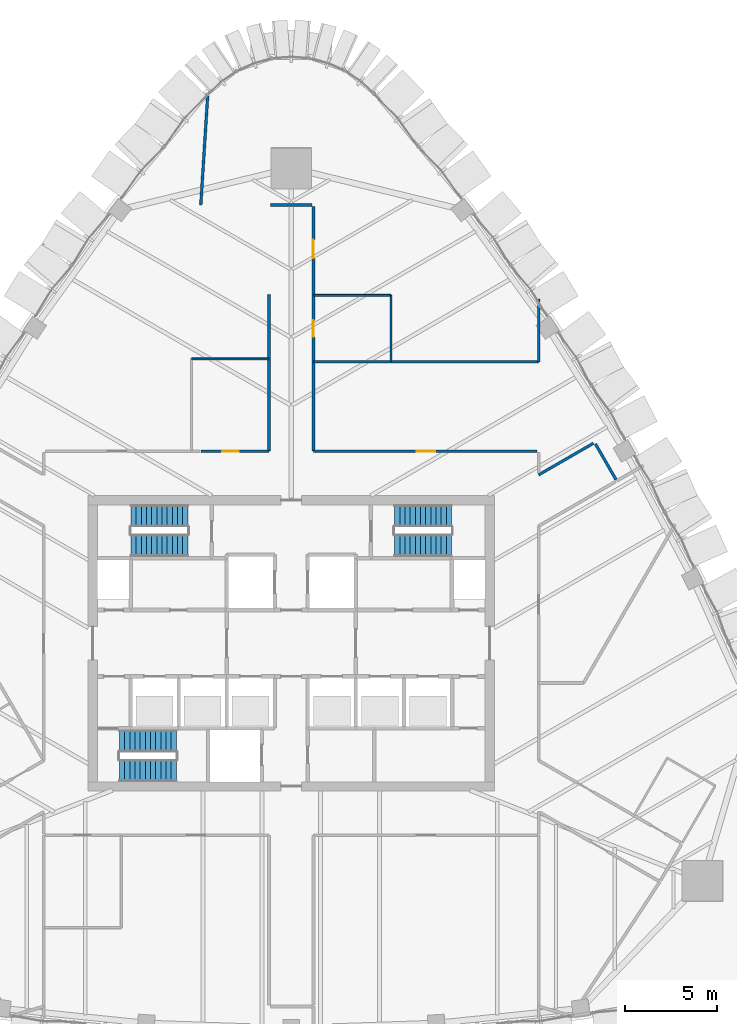
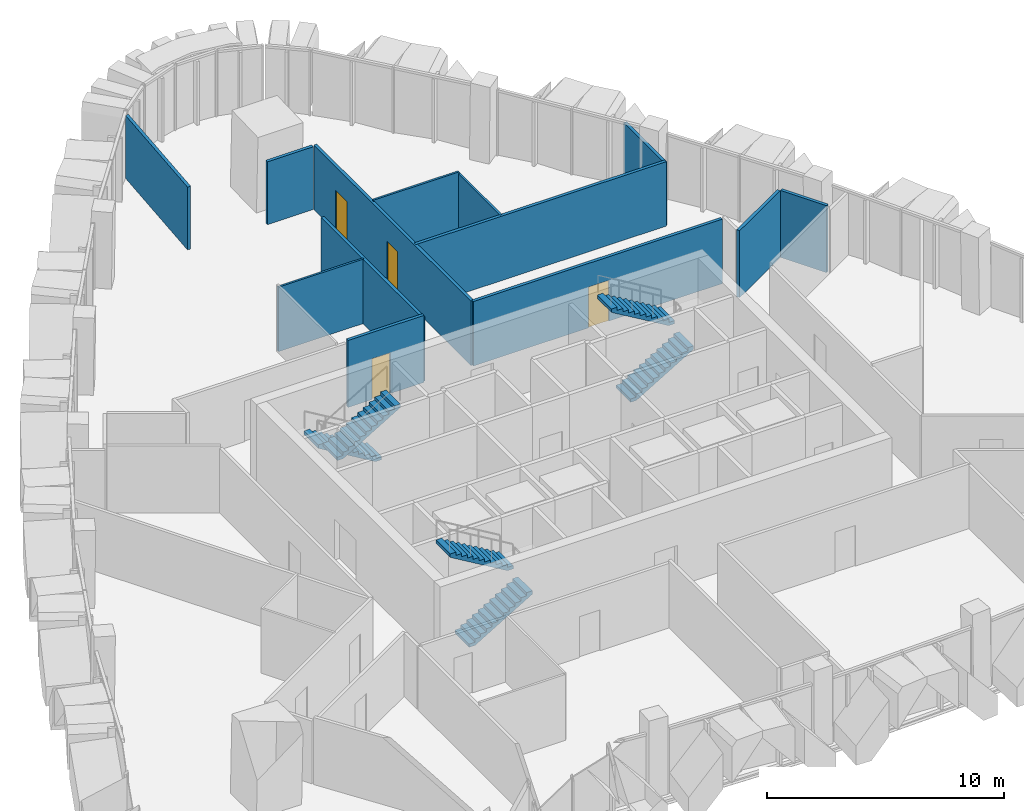
# One storey, part 15 of 19: 13 walls, 6 stair flights, 4 doors, 4 openings, 3 elements without a shape of their own.
"""IFC4 building model written with IfcOpenShell, lengths in metres."""

from ifc_helpers import new_model, si_unit, direction, frame, frame_2d, origin, place, context, subcontext, project, spatial, polyline, rectangle, outline, extrude, material, layer, layer_set, type_object, element, fill, aggregate, save


model = new_model("IFC4")

# Units and contexts
model_context = context("Model", 3, precision=1e-05, world=origin(), true_north=direction((0.0, 1.0)))
body_context = subcontext(model_context, "Body", "Model", "MODEL_VIEW")
ifc_project = project(units=[si_unit("LENGTHUNIT", "METRE"), si_unit("AREAUNIT", "SQUARE_METRE"), si_unit("VOLUMEUNIT", "CUBIC_METRE"), si_unit("PLANEANGLEUNIT", "RADIAN"), si_unit("MASSUNIT", "GRAM", prefix="KILO")], contexts=[model_context])

# Site, building, storey
site_placement = place(None, origin())
site = spatial("IfcSite", under=ifc_project, at=site_placement, CompositionType="ELEMENT")
building_placement = place(site_placement, origin())
building = spatial("IfcBuilding", under=site, at=building_placement, Name="Sierra Prisma Convention Tower", CompositionType="ELEMENT")
storey_placement = place(building_placement, frame((0.0, 0.0, 231.0)))
storey = spatial("IfcBuildingStorey", under=building, at=storey_placement, Name="L51", CompositionType="ELEMENT", Elevation=231.0)

# Walls
ifc_material_1 = material(Name="Gypsum board partition", Category="gypsum")
ifc_layer_1 = layer(ifc_material_1, 0.10009765625)
ifc_layer_set_1 = layer_set([ifc_layer_1], Name="Bathroom partition 100")
wall_type_1 = type_object("IfcWallType", Name="Bathroom partition 100", PredefinedType="PARTITIONING", material=ifc_layer_set_1)
wall_1_placement = place(storey_placement, frame((-5.39990234375, 15.39990234375, 0.0), z_axis=(0.0, 0.0, 1.0), x_axis=(1.0, 0.0, 0.0)))
element("IfcWall", 1, at=wall_1_placement, inside=storey, type_object=wall_type_1, Name="Partition L51 bath 6", PredefinedType="PARTITIONING", context=body_context, shape_type="SweptSolid", body=[
    extrude(rectangle(XDim=4.169921875, YDim=0.10009765625, at=frame_2d((2.0849609375, 0.0))), origin(), (0.0, 0.0, 1.0), 3.31689453125),
])
wall_2_placement = place(storey_placement, frame((1.22998046875, 18.841064453125, 0.0), z_axis=(0.0, 0.0, 1.0), x_axis=(1.0, 0.0, 0.0)))
element("IfcWall", 2, at=wall_2_placement, inside=storey, type_object=wall_type_1, Name="Partition L51 bath 7", PredefinedType="PARTITIONING", context=body_context, shape_type="SweptSolid", body=[
    extrude(rectangle(XDim=4.169921875, YDim=0.10009765625, at=frame_2d((2.0849609375, 0.0))), origin(), (0.0, 0.0, 1.0), 3.39306640625),
])
wall_3_placement = place(storey_placement, frame((5.39990234375, 18.841064453125, 0.0), z_axis=(0.0, 0.0, 1.0), x_axis=(0.0, -1.0, 0.0)))
element("IfcWall", 3, at=wall_3_placement, inside=storey, type_object=wall_type_1, Name="Partition L51 bath 8", PredefinedType="PARTITIONING", context=body_context, shape_type="SweptSolid", body=[
    extrude(rectangle(XDim=3.570068359375, YDim=0.10009765625, at=frame_2d((1.78515625, 0.0))), origin(), (0.0, 0.0, 1.0), 3.31689453125),
])
ifc_material_2 = material(Name="Gypsum board partition", Category="gypsum")
ifc_layer_2 = layer(ifc_material_2, 0.14990234375)
ifc_layer_set_2 = layer_set([ifc_layer_2], Name="Corridor wall 150 gypsum EI 60")
wall_type_2 = type_object("IfcWallType", Name="Corridor wall 150 gypsum EI 60", PredefinedType="PARTITIONING", material=ifc_layer_set_2)
wall_4_placement = place(storey_placement, frame((-1.199951171875, 18.89990234375, 0.0), z_axis=(0.0, 0.0, 1.0), x_axis=(0.0, -1.0, 0.0)))
element("IfcWall", 4, at=wall_4_placement, inside=storey, type_object=wall_type_2, Name="Partition L51 corr 13", PredefinedType="PARTITIONING", context=body_context, shape_type="SweptSolid", body=[
    extrude(rectangle(XDim=8.5, YDim=0.14990234375, at=frame_2d((4.25, 0.0))), origin(), (0.0, 0.0, 1.0), 3.31689453125),
])

# Wall, opening, door
wall_5_placement = place(storey_placement, frame((-1.199951171875, 10.39990234375, 0.0), z_axis=(0.0, 0.0, 1.0), x_axis=(-1.0, 0.0, 0.0)))
wall_5 = element("IfcWall", 5, at=wall_5_placement, inside=storey, type_object=wall_type_2, Name="Partition L51 corr 14", PredefinedType="PARTITIONING", context=body_context, shape_type="SweptSolid", body=[
    extrude(rectangle(XDim=3.699951171875, YDim=0.14990234375, at=frame_2d((1.85009765625, 0.0))), origin(), (0.0, 0.0, 1.0), 3.449951171875),
])
opening_1_placement = place(wall_5_placement, frame((1.64990234375, 0.0, 0.0)))
opening_1 = element("IfcOpeningElement", 6, at=opening_1_placement, cuts=wall_5, Name="Opening L51-D029", PredefinedType="OPENING", context=body_context, shape_type="SweptSolid", body=[
    extrude(rectangle(XDim=0.89990234375, YDim=2.10009765625, at=frame_2d((0.449951171875, 1.050048828125))), frame((0.0, 0.074951171875, 0.0), z_axis=(0.0, -1.0, 0.0), x_axis=(1.0, 0.0, 0.0)), (0.0, 0.0, 1.0), 0.14990234375),
])
ifc_material_3 = material(Name="Steel fire door leaf", Category="steel")
door_type_1 = type_object("IfcDoorType", Name="Door 900x2100 FD30S", OperationType="SINGLE_SWING_LEFT", PredefinedType="DOOR", material=ifc_material_3)
door_1_placement = place(opening_1_placement, origin())
door_1 = element("IfcDoor", 7, at=door_1_placement, inside=storey, type_object=door_type_1, Name="Door L51 5", OperationType="SINGLE_SWING_RIGHT", OverallHeight=2.10009765625, OverallWidth=0.89990234375, PredefinedType="DOOR", context=body_context, shape_type="SweptSolid", body=[
    extrude(rectangle(XDim=0.89990234375, YDim=2.10009765625, at=frame_2d((0.449951171875, 1.050048828125))), frame((0.0, 0.02490234375, 0.0), z_axis=(0.0, -1.0, 0.0), x_axis=(1.0, 0.0, 0.0)), (0.0, 0.0, 1.0), 0.050048828125),
])
fill(opening_1, door_1)

# Wall
wall_6_placement = place(storey_placement, frame((1.1201171875, 23.7412109375, 0.0), z_axis=(0.0, 0.0, 1.0), x_axis=(-1.0, 0.0, 0.0)))
element("IfcWall", 8, at=wall_6_placement, inside=storey, type_object=wall_type_2, Name="Partition L51 corr 16", PredefinedType="PARTITIONING", context=body_context, shape_type="SweptSolid", body=[
    extrude(rectangle(XDim=2.240234375, YDim=0.14990234375, at=frame_2d((1.1201171875, 0.0))), origin(), (0.0, 0.0, 1.0), 3.23291015625),
])

# Wall, opening, door
wall_7_placement = place(storey_placement, frame((13.320068359375, 10.39990234375, 0.0), z_axis=(0.0, 0.0, 1.0), x_axis=(-1.0, 0.0, 0.0)))
wall_7 = element("IfcWall", 9, at=wall_7_placement, inside=storey, type_object=wall_type_2, Name="Partition L51 corr 19", PredefinedType="PARTITIONING", context=body_context, shape_type="SweptSolid", body=[
    extrude(rectangle(XDim=12.1201171875, YDim=0.14990234375, at=frame_2d((6.06005859375, 0.0))), origin(), (0.0, 0.0, 1.0), 3.31689453125),
])
opening_2_placement = place(wall_7_placement, frame((5.52001953125, 0.0, 0.0)))
opening_2 = element("IfcOpeningElement", 10, at=opening_2_placement, cuts=wall_7, Name="Opening L51-D026", PredefinedType="OPENING", context=body_context, shape_type="SweptSolid", body=[
    extrude(rectangle(XDim=1.0, YDim=2.10009765625, at=frame_2d((0.5, 1.050048828125))), frame((0.0, 0.074951171875, 0.0), z_axis=(0.0, -1.0, 0.0), x_axis=(1.0, 0.0, 0.0)), (0.0, 0.0, 1.0), 0.14990234375),
])
ifc_material_4 = material(Name="Steel fire door leaf", Category="steel")
door_type_2 = type_object("IfcDoorType", Name="Door 1000x2100 FD30S", OperationType="SINGLE_SWING_LEFT", PredefinedType="DOOR", material=ifc_material_4)
door_2_placement = place(opening_2_placement, origin())
door_2 = element("IfcDoor", 11, at=door_2_placement, inside=storey, type_object=door_type_2, Name="Door L51 2", OperationType="SINGLE_SWING_LEFT", OverallHeight=2.10009765625, OverallWidth=1.0, PredefinedType="DOOR", context=body_context, shape_type="SweptSolid", body=[
    extrude(rectangle(XDim=1.0, YDim=2.10009765625, at=frame_2d((0.5, 1.050048828125))), frame((0.0, 0.02490234375, 0.0), z_axis=(0.0, -1.0, 0.0), x_axis=(1.0, 0.0, 0.0)), (0.0, 0.0, 1.0), 0.050048828125),
])
fill(opening_2, door_2)

# Wall, openings, doors
wall_8_placement = place(storey_placement, frame((1.199951171875, 10.39990234375, 0.0), z_axis=(0.0, 0.0, 1.0), x_axis=(0.0, 1.0, 0.0)))
wall_8 = element("IfcWall", 12, at=wall_8_placement, inside=storey, type_object=wall_type_2, Name="Partition L51 corr 20", PredefinedType="PARTITIONING", context=body_context, shape_type="SweptSolid", body=[
    extrude(rectangle(XDim=13.26123046875, YDim=0.14990234375, at=frame_2d((6.630615234375, 0.0))), origin(), (0.0, 0.0, 1.0), 3.31689453125),
])
opening_3_placement = place(wall_8_placement, frame((6.191162109375, 0.0, 0.0)))
opening_3 = element("IfcOpeningElement", 13, at=opening_3_placement, cuts=wall_8, Name="Opening L51-D027", PredefinedType="OPENING", context=body_context, shape_type="SweptSolid", body=[
    extrude(rectangle(XDim=0.89990234375, YDim=2.10009765625, at=frame_2d((0.449951171875, 1.050048828125))), frame((0.0, 0.074951171875, 0.0), z_axis=(0.0, -1.0, 0.0), x_axis=(1.0, 0.0, 0.0)), (0.0, 0.0, 1.0), 0.14990234375),
])
opening_4_placement = place(wall_8_placement, frame((10.441162109375, 0.0, 0.0)))
opening_4 = element("IfcOpeningElement", 14, at=opening_4_placement, cuts=wall_8, Name="Opening L51-D028", PredefinedType="OPENING", context=body_context, shape_type="SweptSolid", body=[
    extrude(rectangle(XDim=1.0, YDim=2.10009765625, at=frame_2d((0.5, 1.050048828125))), frame((0.0, 0.074951171875, 0.0), z_axis=(0.0, -1.0, 0.0), x_axis=(1.0, 0.0, 0.0)), (0.0, 0.0, 1.0), 0.14990234375),
])
door_3_placement = place(opening_4_placement, origin())
door_3 = element("IfcDoor", 15, at=door_3_placement, inside=storey, type_object=door_type_2, Name="Door L51 4", OperationType="SINGLE_SWING_RIGHT", OverallHeight=2.10009765625, OverallWidth=1.0, PredefinedType="DOOR", context=body_context, shape_type="SweptSolid", body=[
    extrude(rectangle(XDim=1.0, YDim=2.10009765625, at=frame_2d((0.5, 1.050048828125))), frame((0.0, 0.02490234375, 0.0), z_axis=(0.0, -1.0, 0.0), x_axis=(1.0, 0.0, 0.0)), (0.0, 0.0, 1.0), 0.050048828125),
])
fill(opening_4, door_3)
door_4_placement = place(opening_3_placement, origin())
door_4 = element("IfcDoor", 16, at=door_4_placement, inside=storey, type_object=door_type_1, Name="Door L51 3", OperationType="SINGLE_SWING_RIGHT", OverallHeight=2.10009765625, OverallWidth=0.89990234375, PredefinedType="DOOR", context=body_context, shape_type="SweptSolid", body=[
    extrude(rectangle(XDim=0.89990234375, YDim=2.10009765625, at=frame_2d((0.449951171875, 1.050048828125))), frame((0.0, 0.02490234375, 0.0), z_axis=(0.0, -1.0, 0.0), x_axis=(1.0, 0.0, 0.0)), (0.0, 0.0, 1.0), 0.050048828125),
])
fill(opening_3, door_4)

# Walls
wall_9_placement = place(storey_placement, frame((16.359375, 10.830810546875, 0.0), z_axis=(0.0, 0.0, 1.0), x_axis=(-0.866014265796, -0.500019291066, 0.0)))
element("IfcWall", 17, at=wall_9_placement, inside=storey, type_object=wall_type_2, Name="Partition L51 corr 23", PredefinedType="PARTITIONING", context=body_context, shape_type="SweptSolid", body=[
    extrude(rectangle(XDim=3.417236328125, YDim=0.14990234375, at=frame_2d((1.70849609375, 0.0))), origin(), (0.0, 0.0, 1.0), 3.449951171875),
])
wall_10_placement = place(storey_placement, frame((17.58837890625, 8.861572265625, 0.0), z_axis=(0.0, 0.0, 1.0), x_axis=(-0.49994888933, 0.866054910533, 0.0)))
element("IfcWall", 18, at=wall_10_placement, inside=storey, type_object=wall_type_2, Name="Partition L51 corr 25", PredefinedType="PARTITIONING", context=body_context, shape_type="SweptSolid", body=[
    extrude(rectangle(XDim=2.239990234375, YDim=0.14990234375, at=frame_2d((1.1201171875, 0.0))), origin(), (0.0, 0.0, 1.0), 3.449951171875),
])
ifc_material_5 = material(Name="Gypsum board partition", Category="gypsum")
ifc_layer_3 = layer(ifc_material_5, 0.14990234375)
ifc_layer_set_3 = layer_set([ifc_layer_3], Name="Party wall 150 gypsum")
wall_type_3 = type_object("IfcWallType", Name="Party wall 150 gypsum", PredefinedType="PARTITIONING", material=ifc_layer_set_3)
wall_11_placement = place(storey_placement, frame((-4.89990234375, 23.7412109375, 0.0), z_axis=(0.0, 0.0, 1.0), x_axis=(0.063011916747, 0.998012774642, 0.0)))
element("IfcWall", 19, at=wall_11_placement, inside=storey, type_object=wall_type_3, Name="Partition L51 party 6", PredefinedType="PARTITIONING", context=body_context, shape_type="SweptSolid", body=[
    extrude(rectangle(XDim=5.90087890625, YDim=0.14990234375, at=frame_2d((2.950439453125, 0.0))), origin(), (0.0, 0.0, 1.0), 3.23388671875),
])
wall_12_placement = place(storey_placement, frame((1.199951171875, 15.2412109375, 0.0), z_axis=(0.0, 0.0, 1.0), x_axis=(1.0, 0.0, 0.0)))
element("IfcWall", 20, at=wall_12_placement, inside=storey, type_object=wall_type_3, Name="Partition L51 party 8", PredefinedType="PARTITIONING", context=body_context, shape_type="SweptSolid", body=[
    extrude(rectangle(XDim=12.199951171875, YDim=0.14990234375, at=frame_2d((6.10009765625, 0.0))), origin(), (0.0, 0.0, 1.0), 3.31689453125),
])
wall_13_placement = place(storey_placement, frame((13.39990234375, 15.2412109375, 0.0), z_axis=(0.0, 0.0, 1.0), x_axis=(0.0, 1.0, 0.0)))
element("IfcWall", 21, at=wall_13_placement, inside=storey, type_object=wall_type_3, Name="Partition L51 party 9", PredefinedType="PARTITIONING", context=body_context, shape_type="SweptSolid", body=[
    extrude(rectangle(XDim=3.416748046875, YDim=0.14990234375, at=frame_2d((1.70849609375, 0.0))), origin(), (0.0, 0.0, 1.0), 3.23388671875),
])

# Stair, stair flights
ifc_material_6 = material(Name="Concrete C30/37", Category="concrete")
stair_type = type_object("IfcStairType", Name="Stair dog-leg 1200 RC", PredefinedType="HALF_TURN_STAIR", material=ifc_material_6)
stair_1_placement = place(storey_placement, origin())
stair_1 = element("IfcStair", 22, at=stair_1_placement, inside=storey, type_object=stair_type, Name="L51 S1", PredefinedType="HALF_TURN_STAIR")
ifc_material_7 = material(Name="Concrete C30/37", Category="concrete")
stair_flight_type = type_object("IfcStairFlightType", Name="Stair flight RC 1200", PredefinedType="STRAIGHT", material=ifc_material_7)
stair_flight_1_placement = place(storey_placement, frame((-9.300048828125, -6.89990234375, 0.0), z_axis=(0.0, 0.0, 1.0), x_axis=(1.0, 0.0, 0.0)))
stair_flight_1 = element("IfcStairFlight", 23, at=stair_flight_1_placement, type_object=stair_flight_type, Name="S1 flight 1", NumberOfRisers=12, NumberOfTreads=11, PredefinedType="STRAIGHT", RiserHeight=0.166666667, TreadLength=0.28, context=body_context, shape_type="SweptSolid", body=[
    extrude(outline(polyline([(0.0, 0.0), (0.0, 0.166748046875), (0.280029296875, 0.166748046875), (0.280029296875, 0.333251953125), (0.56005859375, 0.333251953125), (0.56005859375, 0.5), (0.840087890625, 0.5), (0.840087890625, 0.666748046875), (1.1201171875, 0.666748046875), (1.1201171875, 0.833251953125), (1.39990234375, 0.833251953125), (1.39990234375, 1.0), (1.679931640625, 1.0), (1.679931640625, 1.166748046875), (1.9599609375, 1.166748046875), (1.9599609375, 1.333251953125), (2.239990234375, 1.333251953125), (2.239990234375, 1.5), (2.52001953125, 1.5), (2.52001953125, 1.666748046875), (2.800048828125, 1.666748046875), (2.800048828125, 1.833251953125), (3.080078125, 1.833251953125), (3.080078125, 2.0), (3.080078125, 1.658935546875), (0.29296875, 0.0), (0.0, 0.0)])), frame((0.0, 0.60009765625, 0.0), z_axis=(0.0, -1.0, 0.0), x_axis=(1.0, 0.0, 0.0)), (0.0, 0.0, 1.0), 1.199951171875),
])
stair_flight_2_placement = place(storey_placement, frame((-6.219970703125, -5.300048828125, 2.0), z_axis=(0.0, 0.0, 1.0), x_axis=(-1.0, 0.0, 0.0)))
stair_flight_2 = element("IfcStairFlight", 24, at=stair_flight_2_placement, type_object=stair_flight_type, Name="S1 flight 2", NumberOfRisers=12, NumberOfTreads=11, PredefinedType="STRAIGHT", RiserHeight=0.166666667, TreadLength=0.28, context=body_context, shape_type="SweptSolid", body=[
    extrude(outline(polyline([(0.0, 0.0), (0.0, 0.166748046875), (0.280029296875, 0.166748046875), (0.280029296875, 0.333251953125), (0.56005859375, 0.333251953125), (0.56005859375, 0.5), (0.840087890625, 0.5), (0.840087890625, 0.666748046875), (1.1201171875, 0.666748046875), (1.1201171875, 0.833251953125), (1.39990234375, 0.833251953125), (1.39990234375, 1.0), (1.679931640625, 1.0), (1.679931640625, 1.166748046875), (1.9599609375, 1.166748046875), (1.9599609375, 1.333251953125), (2.239990234375, 1.333251953125), (2.239990234375, 1.5), (2.52001953125, 1.5), (2.52001953125, 1.666748046875), (2.800048828125, 1.666748046875), (2.800048828125, 1.833251953125), (3.080078125, 1.833251953125), (3.080078125, 2.0), (3.080078125, 1.658935546875), (0.29296875, 0.0), (0.0, 0.0)])), frame((0.0, 0.60009765625, 0.0), z_axis=(0.0, -1.0, 0.0), x_axis=(1.0, 0.0, 0.0)), (0.0, 0.0, 1.0), 1.199951171875),
])
aggregate(stair_1, [stair_flight_1, stair_flight_2])

stair_2_placement = place(storey_placement, origin())
stair_2 = element("IfcStair", 25, at=stair_2_placement, inside=storey, type_object=stair_type, Name="L51 S3", PredefinedType="HALF_TURN_STAIR")
stair_flight_3_placement = place(storey_placement, frame((-5.60009765625, 6.89990234375, 0.0), z_axis=(0.0, 0.0, 1.0), x_axis=(-1.0, 0.0, 0.0)))
stair_flight_3 = element("IfcStairFlight", 26, at=stair_flight_3_placement, type_object=stair_flight_type, Name="S3 flight 1", NumberOfRisers=12, NumberOfTreads=11, PredefinedType="STRAIGHT", RiserHeight=0.166666667, TreadLength=0.28, context=body_context, shape_type="SweptSolid", body=[
    extrude(outline(polyline([(0.0, 0.0), (0.0, 0.166748046875), (0.280029296875, 0.166748046875), (0.280029296875, 0.333251953125), (0.56005859375, 0.333251953125), (0.56005859375, 0.5), (0.840087890625, 0.5), (0.840087890625, 0.666748046875), (1.1201171875, 0.666748046875), (1.1201171875, 0.833251953125), (1.39990234375, 0.833251953125), (1.39990234375, 1.0), (1.679931640625, 1.0), (1.679931640625, 1.166748046875), (1.9599609375, 1.166748046875), (1.9599609375, 1.333251953125), (2.239990234375, 1.333251953125), (2.239990234375, 1.5), (2.52001953125, 1.5), (2.52001953125, 1.666748046875), (2.800048828125, 1.666748046875), (2.800048828125, 1.833251953125), (3.080078125, 1.833251953125), (3.080078125, 2.0), (3.080078125, 1.658935546875), (0.29296875, 0.0), (0.0, 0.0)])), frame((0.0, 0.60009765625, 0.0), z_axis=(0.0, -1.0, 0.0), x_axis=(1.0, 0.0, 0.0)), (0.0, 0.0, 1.0), 1.199951171875),
])
stair_flight_4_placement = place(storey_placement, frame((-8.679931640625, 5.300048828125, 2.0), z_axis=(0.0, 0.0, 1.0), x_axis=(1.0, 0.0, 0.0)))
stair_flight_4 = element("IfcStairFlight", 27, at=stair_flight_4_placement, type_object=stair_flight_type, Name="S3 flight 2", NumberOfRisers=12, NumberOfTreads=11, PredefinedType="STRAIGHT", RiserHeight=0.166666667, TreadLength=0.28, context=body_context, shape_type="SweptSolid", body=[
    extrude(outline(polyline([(0.0, 0.0), (0.0, 0.166748046875), (0.280029296875, 0.166748046875), (0.280029296875, 0.333251953125), (0.56005859375, 0.333251953125), (0.56005859375, 0.5), (0.840087890625, 0.5), (0.840087890625, 0.666748046875), (1.1201171875, 0.666748046875), (1.1201171875, 0.833251953125), (1.39990234375, 0.833251953125), (1.39990234375, 1.0), (1.679931640625, 1.0), (1.679931640625, 1.166748046875), (1.9599609375, 1.166748046875), (1.9599609375, 1.333251953125), (2.239990234375, 1.333251953125), (2.239990234375, 1.5), (2.52001953125, 1.5), (2.52001953125, 1.666748046875), (2.800048828125, 1.666748046875), (2.800048828125, 1.833251953125), (3.080078125, 1.833251953125), (3.080078125, 2.0), (3.080078125, 1.658935546875), (0.29296875, 0.0), (0.0, 0.0)])), frame((0.0, 0.60009765625, 0.0), z_axis=(0.0, -1.0, 0.0), x_axis=(1.0, 0.0, 0.0)), (0.0, 0.0, 1.0), 1.199951171875),
])
aggregate(stair_2, [stair_flight_3, stair_flight_4])

stair_3_placement = place(storey_placement, origin())
stair_3 = element("IfcStair", 28, at=stair_3_placement, inside=storey, type_object=stair_type, Name="L51 S4", PredefinedType="HALF_TURN_STAIR")
stair_flight_5_placement = place(storey_placement, frame((5.60009765625, 5.300048828125, 0.0), z_axis=(0.0, 0.0, 1.0), x_axis=(1.0, 0.0, 0.0)))
stair_flight_5 = element("IfcStairFlight", 29, at=stair_flight_5_placement, type_object=stair_flight_type, Name="S4 flight 1", NumberOfRisers=12, NumberOfTreads=11, PredefinedType="STRAIGHT", RiserHeight=0.166666667, TreadLength=0.28, context=body_context, shape_type="SweptSolid", body=[
    extrude(outline(polyline([(0.0, 0.0), (0.0, 0.166748046875), (0.280029296875, 0.166748046875), (0.280029296875, 0.333251953125), (0.56005859375, 0.333251953125), (0.56005859375, 0.5), (0.840087890625, 0.5), (0.840087890625, 0.666748046875), (1.1201171875, 0.666748046875), (1.1201171875, 0.833251953125), (1.39990234375, 0.833251953125), (1.39990234375, 1.0), (1.679931640625, 1.0), (1.679931640625, 1.166748046875), (1.9599609375, 1.166748046875), (1.9599609375, 1.333251953125), (2.239990234375, 1.333251953125), (2.239990234375, 1.5), (2.52001953125, 1.5), (2.52001953125, 1.666748046875), (2.800048828125, 1.666748046875), (2.800048828125, 1.833251953125), (3.080078125, 1.833251953125), (3.080078125, 2.0), (3.080078125, 1.658935546875), (0.29296875, 0.0), (0.0, 0.0)])), frame((0.0, 0.60009765625, 0.0), z_axis=(0.0, -1.0, 0.0), x_axis=(1.0, 0.0, 0.0)), (0.0, 0.0, 1.0), 1.199951171875),
])
stair_flight_6_placement = place(storey_placement, frame((8.679931640625, 6.89990234375, 2.0), z_axis=(0.0, 0.0, 1.0), x_axis=(-1.0, 0.0, 0.0)))
stair_flight_6 = element("IfcStairFlight", 30, at=stair_flight_6_placement, type_object=stair_flight_type, Name="S4 flight 2", NumberOfRisers=12, NumberOfTreads=11, PredefinedType="STRAIGHT", RiserHeight=0.166666667, TreadLength=0.28, context=body_context, shape_type="SweptSolid", body=[
    extrude(outline(polyline([(0.0, 0.0), (0.0, 0.166748046875), (0.280029296875, 0.166748046875), (0.280029296875, 0.333251953125), (0.56005859375, 0.333251953125), (0.56005859375, 0.5), (0.840087890625, 0.5), (0.840087890625, 0.666748046875), (1.1201171875, 0.666748046875), (1.1201171875, 0.833251953125), (1.39990234375, 0.833251953125), (1.39990234375, 1.0), (1.679931640625, 1.0), (1.679931640625, 1.166748046875), (1.9599609375, 1.166748046875), (1.9599609375, 1.333251953125), (2.239990234375, 1.333251953125), (2.239990234375, 1.5), (2.52001953125, 1.5), (2.52001953125, 1.666748046875), (2.800048828125, 1.666748046875), (2.800048828125, 1.833251953125), (3.080078125, 1.833251953125), (3.080078125, 2.0), (3.080078125, 1.658935546875), (0.29296875, 0.0), (0.0, 0.0)])), frame((0.0, 0.60009765625, 0.0), z_axis=(0.0, -1.0, 0.0), x_axis=(1.0, 0.0, 0.0)), (0.0, 0.0, 1.0), 1.199951171875),
])
aggregate(stair_3, [stair_flight_5, stair_flight_6])

save(model, "model.ifc")
